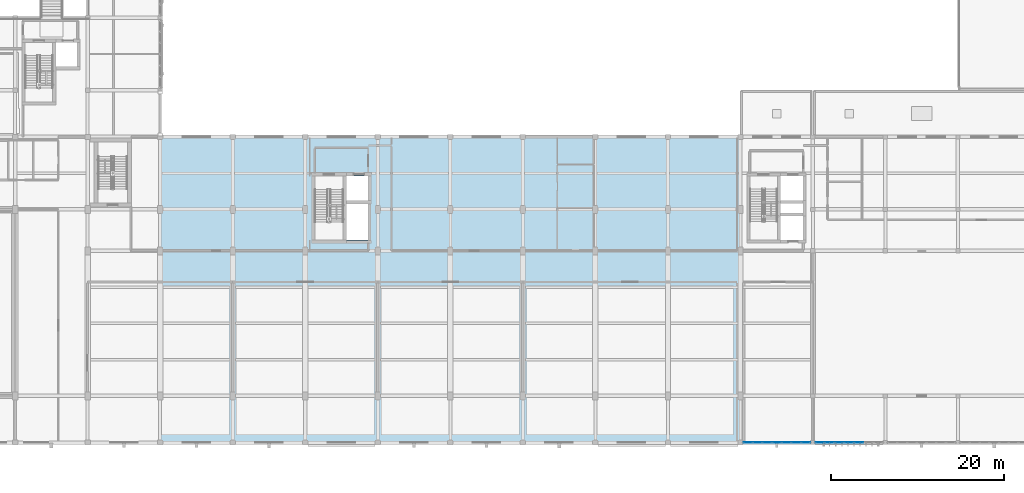
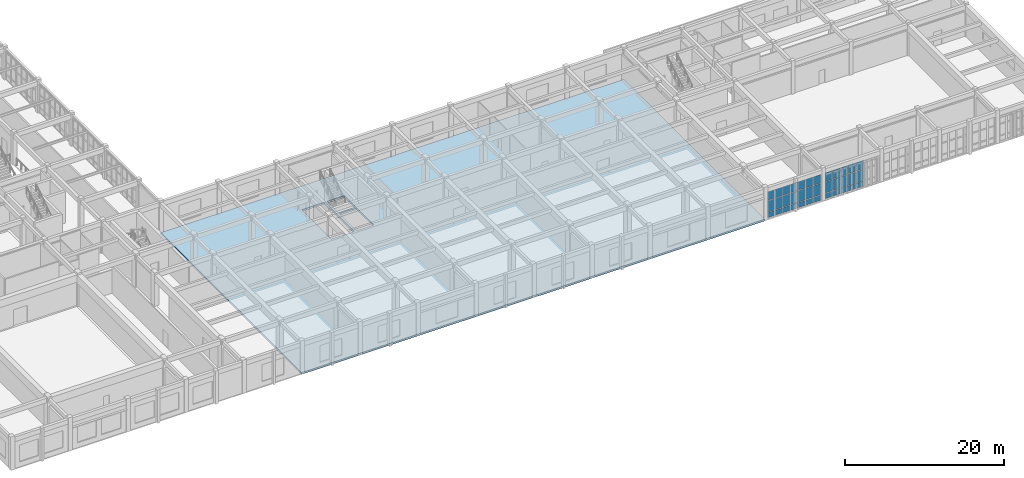
# One storey, part 57 of 93: 36 plates, 1 slab, 2 elements without a shape of their own.
"""IFC4 building model written with IfcOpenShell, lengths in metres."""

from ifc_helpers import new_model, si_unit, direction, frame, origin, origin_2d, place, context, subcontext, project, spatial, polyline, rectangle, outline, extrude, material, layer, layer_set, type_object, element, aggregate, save


model = new_model("IFC4")

# Units and contexts
model_context = context("Model", 3, precision=1e-05, world=origin(), true_north=direction((0.0, 1.0)))
body_context = subcontext(model_context, "Body", "Model", "MODEL_VIEW")
ifc_project = project(units=[si_unit("LENGTHUNIT", "METRE"), si_unit("AREAUNIT", "SQUARE_METRE"), si_unit("VOLUMEUNIT", "CUBIC_METRE"), si_unit("PLANEANGLEUNIT", "RADIAN"), si_unit("MASSUNIT", "GRAM", prefix="KILO")], contexts=[model_context])

# Site, building, storey
site_placement = place(None, origin())
site = spatial("IfcSite", under=ifc_project, at=site_placement, CompositionType="ELEMENT")
building_placement = place(site_placement, origin())
building = spatial("IfcBuilding", under=site, at=building_placement, Name="Krzemoval Escarpment Law Courts", CompositionType="ELEMENT")
storey_placement = place(building_placement, frame((0.0, 0.0, 10.199951171875)))
storey = spatial("IfcBuildingStorey", under=building, at=storey_placement, Name="L02", CompositionType="ELEMENT", Elevation=10.199951171875)

# Curtain wall, plates
ifc_material_1 = material(Name="Aluminium 6063-T6", Category="aluminium")
ifc_layer_1 = layer(ifc_material_1, 0.239990234375)
ifc_layer_set_1 = layer_set([ifc_layer_1], Name="Aluminium 6063-T6")
curtain_wall_type = type_object("IfcCurtainWallType", Name="CW-LIBR-4800", PredefinedType="USERDEFINED", material=ifc_layer_set_1)
curtain_wall_1_placement = place(storey_placement, origin())
curtain_wall_1 = element("IfcCurtainWall", 1, at=curtain_wall_1_placement, inside=storey, type_object=curtain_wall_type, Name="Unitised Curtain Wall FCW-L02-084", ObjectType="UNITISED_CURTAIN_WALL", PredefinedType="USERDEFINED")
ifc_material_2 = material(Name="Triple Glazing IGU", Category="glass")
ifc_layer_2 = layer(ifc_material_2, 0.048095703125)
ifc_layer_set_2 = layer_set([ifc_layer_2], Name="Triple Glazing IGU")
plate_type = type_object("IfcPlateType", Name="CWP-GLZ-48", PredefinedType="CURTAIN_PANEL", material=ifc_layer_set_2)
plate_1_placement = place(storey_placement, frame((122.928466796875, 0.0, 0.074951171875), z_axis=(0.0, 0.0, 1.0), x_axis=(-1.0, 0.0, 0.0)))
plate_1 = element("IfcPlate", 2, at=plate_1_placement, type_object=plate_type, Name="FCW-L02-084 panel 3.1", PredefinedType="CURTAIN_PANEL", context=body_context, shape_type="SweptSolid", body=[
    extrude(rectangle(XDim=1.053466796875, YDim=0.048095703125, at=origin_2d()), origin(), (0.0, 0.0, 1.0), 0.78759765625),
])
plate_2_placement = place(storey_placement, frame((122.928466796875, 0.0, 0.9375), z_axis=(0.0, 0.0, 1.0), x_axis=(-1.0, 0.0, 0.0)))
plate_2 = element("IfcPlate", 3, at=plate_2_placement, type_object=plate_type, Name="FCW-L02-084 panel 3.2", PredefinedType="CURTAIN_PANEL", context=body_context, shape_type="SweptSolid", body=[
    extrude(rectangle(XDim=1.053466796875, YDim=0.048095703125, at=origin_2d()), origin(), (0.0, 0.0, 1.0), 1.72509765625),
])
plate_3_placement = place(storey_placement, frame((122.928466796875, 0.0, 2.737548828125), z_axis=(0.0, 0.0, 1.0), x_axis=(-1.0, 0.0, 0.0)))
plate_3 = element("IfcPlate", 4, at=plate_3_placement, type_object=plate_type, Name="FCW-L02-084 panel 3.3", PredefinedType="CURTAIN_PANEL", context=body_context, shape_type="SweptSolid", body=[
    extrude(rectangle(XDim=1.053466796875, YDim=0.048095703125, at=origin_2d()), origin(), (0.0, 0.0, 1.0), 1.3076171875),
])
plate_4_placement = place(storey_placement, frame((121.800048828125, 0.0, 0.074951171875), z_axis=(0.0, 0.0, 1.0), x_axis=(-1.0, 0.0, 0.0)))
plate_4 = element("IfcPlate", 5, at=plate_4_placement, type_object=plate_type, Name="FCW-L02-084 panel 4.1", PredefinedType="CURTAIN_PANEL", context=body_context, shape_type="SweptSolid", body=[
    extrude(rectangle(XDim=1.053466796875, YDim=0.048095703125, at=origin_2d()), origin(), (0.0, 0.0, 1.0), 0.78759765625),
])
plate_5_placement = place(storey_placement, frame((121.800048828125, 0.0, 0.9375), z_axis=(0.0, 0.0, 1.0), x_axis=(-1.0, 0.0, 0.0)))
plate_5 = element("IfcPlate", 6, at=plate_5_placement, type_object=plate_type, Name="FCW-L02-084 panel 4.2", PredefinedType="CURTAIN_PANEL", context=body_context, shape_type="SweptSolid", body=[
    extrude(rectangle(XDim=1.053466796875, YDim=0.048095703125, at=origin_2d()), origin(), (0.0, 0.0, 1.0), 1.72509765625),
])
plate_6_placement = place(storey_placement, frame((121.800048828125, 0.0, 2.737548828125), z_axis=(0.0, 0.0, 1.0), x_axis=(-1.0, 0.0, 0.0)))
plate_6 = element("IfcPlate", 7, at=plate_6_placement, type_object=plate_type, Name="FCW-L02-084 panel 4.3", PredefinedType="CURTAIN_PANEL", context=body_context, shape_type="SweptSolid", body=[
    extrude(rectangle(XDim=1.053466796875, YDim=0.048095703125, at=origin_2d()), origin(), (0.0, 0.0, 1.0), 1.3076171875),
])
plate_7_placement = place(storey_placement, frame((120.67138671875, 0.0, 0.074951171875), z_axis=(0.0, 0.0, 1.0), x_axis=(-1.0, 0.0, 0.0)))
plate_7 = element("IfcPlate", 8, at=plate_7_placement, type_object=plate_type, Name="FCW-L02-084 panel 5.1", PredefinedType="CURTAIN_PANEL", context=body_context, shape_type="SweptSolid", body=[
    extrude(rectangle(XDim=1.053466796875, YDim=0.048095703125, at=origin_2d()), origin(), (0.0, 0.0, 1.0), 0.78759765625),
])
plate_8_placement = place(storey_placement, frame((120.67138671875, 0.0, 0.9375), z_axis=(0.0, 0.0, 1.0), x_axis=(-1.0, 0.0, 0.0)))
plate_8 = element("IfcPlate", 9, at=plate_8_placement, type_object=plate_type, Name="FCW-L02-084 panel 5.2", PredefinedType="CURTAIN_PANEL", context=body_context, shape_type="SweptSolid", body=[
    extrude(rectangle(XDim=1.053466796875, YDim=0.048095703125, at=origin_2d()), origin(), (0.0, 0.0, 1.0), 1.72509765625),
])
plate_9_placement = place(storey_placement, frame((120.67138671875, 0.0, 2.737548828125), z_axis=(0.0, 0.0, 1.0), x_axis=(-1.0, 0.0, 0.0)))
plate_9 = element("IfcPlate", 10, at=plate_9_placement, type_object=plate_type, Name="FCW-L02-084 panel 5.3", PredefinedType="CURTAIN_PANEL", context=body_context, shape_type="SweptSolid", body=[
    extrude(rectangle(XDim=1.053466796875, YDim=0.048095703125, at=origin_2d()), origin(), (0.0, 0.0, 1.0), 1.3076171875),
])
plate_10_placement = place(storey_placement, frame((119.54296875, 0.0, 0.074951171875), z_axis=(0.0, 0.0, 1.0), x_axis=(-1.0, 0.0, 0.0)))
plate_10 = element("IfcPlate", 11, at=plate_10_placement, type_object=plate_type, Name="FCW-L02-084 panel 6.1", PredefinedType="CURTAIN_PANEL", context=body_context, shape_type="SweptSolid", body=[
    extrude(rectangle(XDim=1.053466796875, YDim=0.048095703125, at=origin_2d()), origin(), (0.0, 0.0, 1.0), 0.78759765625),
])
plate_11_placement = place(storey_placement, frame((119.54296875, 0.0, 0.9375), z_axis=(0.0, 0.0, 1.0), x_axis=(-1.0, 0.0, 0.0)))
plate_11 = element("IfcPlate", 12, at=plate_11_placement, type_object=plate_type, Name="FCW-L02-084 panel 6.2", PredefinedType="CURTAIN_PANEL", context=body_context, shape_type="SweptSolid", body=[
    extrude(rectangle(XDim=1.053466796875, YDim=0.048095703125, at=origin_2d()), origin(), (0.0, 0.0, 1.0), 1.72509765625),
])
plate_12_placement = place(storey_placement, frame((119.54296875, 0.0, 2.737548828125), z_axis=(0.0, 0.0, 1.0), x_axis=(-1.0, 0.0, 0.0)))
plate_12 = element("IfcPlate", 13, at=plate_12_placement, type_object=plate_type, Name="FCW-L02-084 panel 6.3", PredefinedType="CURTAIN_PANEL", context=body_context, shape_type="SweptSolid", body=[
    extrude(rectangle(XDim=1.053466796875, YDim=0.048095703125, at=origin_2d()), origin(), (0.0, 0.0, 1.0), 1.3076171875),
])
plate_13_placement = place(storey_placement, frame((118.43310546875, 0.0, 0.074951171875), z_axis=(0.0, 0.0, 1.0), x_axis=(-1.0, 0.0, 0.0)))
plate_13 = element("IfcPlate", 14, at=plate_13_placement, type_object=plate_type, Name="FCW-L02-084 panel 7.1", PredefinedType="CURTAIN_PANEL", context=body_context, shape_type="SweptSolid", body=[
    extrude(rectangle(XDim=1.01611328125, YDim=0.048095703125, at=origin_2d()), origin(), (0.0, 0.0, 1.0), 0.78759765625),
])
plate_14_placement = place(storey_placement, frame((118.43310546875, 0.0, 0.9375), z_axis=(0.0, 0.0, 1.0), x_axis=(-1.0, 0.0, 0.0)))
plate_14 = element("IfcPlate", 15, at=plate_14_placement, type_object=plate_type, Name="FCW-L02-084 panel 7.2", PredefinedType="CURTAIN_PANEL", context=body_context, shape_type="SweptSolid", body=[
    extrude(rectangle(XDim=1.01611328125, YDim=0.048095703125, at=origin_2d()), origin(), (0.0, 0.0, 1.0), 1.72509765625),
])
plate_15_placement = place(storey_placement, frame((118.43310546875, 0.0, 2.737548828125), z_axis=(0.0, 0.0, 1.0), x_axis=(-1.0, 0.0, 0.0)))
plate_15 = element("IfcPlate", 16, at=plate_15_placement, type_object=plate_type, Name="FCW-L02-084 panel 7.3", PredefinedType="CURTAIN_PANEL", context=body_context, shape_type="SweptSolid", body=[
    extrude(rectangle(XDim=1.01611328125, YDim=0.048095703125, at=origin_2d()), origin(), (0.0, 0.0, 1.0), 1.3076171875),
])
aggregate(curtain_wall_1, [plate_1, plate_2, plate_3, plate_4, plate_5, plate_6, plate_7, plate_8, plate_9, plate_10, plate_11, plate_12, plate_13, plate_14, plate_15])

curtain_wall_2_placement = place(storey_placement, origin())
curtain_wall_2 = element("IfcCurtainWall", 17, at=curtain_wall_2_placement, inside=storey, type_object=curtain_wall_type, Name="Unitised Curtain Wall FCW-L02-085", ObjectType="UNITISED_CURTAIN_WALL", PredefinedType="USERDEFINED")
plate_16_placement = place(storey_placement, frame((116.7705078125, 0.0, 0.074951171875), z_axis=(0.0, 0.0, 1.0), x_axis=(-1.0, 0.0, 0.0)))
plate_16 = element("IfcPlate", 18, at=plate_16_placement, type_object=plate_type, Name="FCW-L02-085 panel 1.1", PredefinedType="CURTAIN_PANEL", context=body_context, shape_type="SweptSolid", body=[
    extrude(rectangle(XDim=1.009033203125, YDim=0.048095703125, at=origin_2d()), origin(), (0.0, 0.0, 1.0), 0.78759765625),
])
plate_17_placement = place(storey_placement, frame((116.7705078125, 0.0, 0.9375), z_axis=(0.0, 0.0, 1.0), x_axis=(-1.0, 0.0, 0.0)))
plate_17 = element("IfcPlate", 19, at=plate_17_placement, type_object=plate_type, Name="FCW-L02-085 panel 1.2", PredefinedType="CURTAIN_PANEL", context=body_context, shape_type="SweptSolid", body=[
    extrude(rectangle(XDim=1.009033203125, YDim=0.048095703125, at=origin_2d()), origin(), (0.0, 0.0, 1.0), 1.72509765625),
])
plate_18_placement = place(storey_placement, frame((116.7705078125, 0.0, 2.737548828125), z_axis=(0.0, 0.0, 1.0), x_axis=(-1.0, 0.0, 0.0)))
plate_18 = element("IfcPlate", 20, at=plate_18_placement, type_object=plate_type, Name="FCW-L02-085 panel 1.3", PredefinedType="CURTAIN_PANEL", context=body_context, shape_type="SweptSolid", body=[
    extrude(rectangle(XDim=1.009033203125, YDim=0.048095703125, at=origin_2d()), origin(), (0.0, 0.0, 1.0), 1.3076171875),
])
plate_19_placement = place(storey_placement, frame((115.66796875, 0.0, 0.074951171875), z_axis=(0.0, 0.0, 1.0), x_axis=(-1.0, 0.0, 0.0)))
plate_19 = element("IfcPlate", 21, at=plate_19_placement, type_object=plate_type, Name="FCW-L02-085 panel 2.1", PredefinedType="CURTAIN_PANEL", context=body_context, shape_type="SweptSolid", body=[
    extrude(rectangle(XDim=1.04638671875, YDim=0.048095703125, at=origin_2d()), origin(), (0.0, 0.0, 1.0), 0.78759765625),
])
plate_20_placement = place(storey_placement, frame((115.66796875, 0.0, 0.9375), z_axis=(0.0, 0.0, 1.0), x_axis=(-1.0, 0.0, 0.0)))
plate_20 = element("IfcPlate", 22, at=plate_20_placement, type_object=plate_type, Name="FCW-L02-085 panel 2.2", PredefinedType="CURTAIN_PANEL", context=body_context, shape_type="SweptSolid", body=[
    extrude(rectangle(XDim=1.04638671875, YDim=0.048095703125, at=origin_2d()), origin(), (0.0, 0.0, 1.0), 1.72509765625),
])
plate_21_placement = place(storey_placement, frame((115.66796875, 0.0, 2.737548828125), z_axis=(0.0, 0.0, 1.0), x_axis=(-1.0, 0.0, 0.0)))
plate_21 = element("IfcPlate", 23, at=plate_21_placement, type_object=plate_type, Name="FCW-L02-085 panel 2.3", PredefinedType="CURTAIN_PANEL", context=body_context, shape_type="SweptSolid", body=[
    extrude(rectangle(XDim=1.04638671875, YDim=0.048095703125, at=origin_2d()), origin(), (0.0, 0.0, 1.0), 1.3076171875),
])
plate_22_placement = place(storey_placement, frame((114.54638671875, 0.0, 0.074951171875), z_axis=(0.0, 0.0, 1.0), x_axis=(-1.0, 0.0, 0.0)))
plate_22 = element("IfcPlate", 24, at=plate_22_placement, type_object=plate_type, Name="FCW-L02-085 panel 3.1", PredefinedType="CURTAIN_PANEL", context=body_context, shape_type="SweptSolid", body=[
    extrude(rectangle(XDim=1.04638671875, YDim=0.048095703125, at=origin_2d()), origin(), (0.0, 0.0, 1.0), 0.78759765625),
])
plate_23_placement = place(storey_placement, frame((114.54638671875, 0.0, 0.9375), z_axis=(0.0, 0.0, 1.0), x_axis=(-1.0, 0.0, 0.0)))
plate_23 = element("IfcPlate", 25, at=plate_23_placement, type_object=plate_type, Name="FCW-L02-085 panel 3.2", PredefinedType="CURTAIN_PANEL", context=body_context, shape_type="SweptSolid", body=[
    extrude(rectangle(XDim=1.04638671875, YDim=0.048095703125, at=origin_2d()), origin(), (0.0, 0.0, 1.0), 1.72509765625),
])
plate_24_placement = place(storey_placement, frame((114.54638671875, 0.0, 2.737548828125), z_axis=(0.0, 0.0, 1.0), x_axis=(-1.0, 0.0, 0.0)))
plate_24 = element("IfcPlate", 26, at=plate_24_placement, type_object=plate_type, Name="FCW-L02-085 panel 3.3", PredefinedType="CURTAIN_PANEL", context=body_context, shape_type="SweptSolid", body=[
    extrude(rectangle(XDim=1.04638671875, YDim=0.048095703125, at=origin_2d()), origin(), (0.0, 0.0, 1.0), 1.3076171875),
])
plate_25_placement = place(storey_placement, frame((113.425048828125, 0.0, 0.074951171875), z_axis=(0.0, 0.0, 1.0), x_axis=(-1.0, 0.0, 0.0)))
plate_25 = element("IfcPlate", 27, at=plate_25_placement, type_object=plate_type, Name="FCW-L02-085 panel 4.1", PredefinedType="CURTAIN_PANEL", context=body_context, shape_type="SweptSolid", body=[
    extrude(rectangle(XDim=1.04638671875, YDim=0.048095703125, at=origin_2d()), origin(), (0.0, 0.0, 1.0), 0.78759765625),
])
plate_26_placement = place(storey_placement, frame((113.425048828125, 0.0, 0.9375), z_axis=(0.0, 0.0, 1.0), x_axis=(-1.0, 0.0, 0.0)))
plate_26 = element("IfcPlate", 28, at=plate_26_placement, type_object=plate_type, Name="FCW-L02-085 panel 4.2", PredefinedType="CURTAIN_PANEL", context=body_context, shape_type="SweptSolid", body=[
    extrude(rectangle(XDim=1.04638671875, YDim=0.048095703125, at=origin_2d()), origin(), (0.0, 0.0, 1.0), 1.72509765625),
])
plate_27_placement = place(storey_placement, frame((113.425048828125, 0.0, 2.737548828125), z_axis=(0.0, 0.0, 1.0), x_axis=(-1.0, 0.0, 0.0)))
plate_27 = element("IfcPlate", 29, at=plate_27_placement, type_object=plate_type, Name="FCW-L02-085 panel 4.3", PredefinedType="CURTAIN_PANEL", context=body_context, shape_type="SweptSolid", body=[
    extrude(rectangle(XDim=1.04638671875, YDim=0.048095703125, at=origin_2d()), origin(), (0.0, 0.0, 1.0), 1.3076171875),
])
plate_28_placement = place(storey_placement, frame((112.303466796875, 0.0, 0.074951171875), z_axis=(0.0, 0.0, 1.0), x_axis=(-1.0, 0.0, 0.0)))
plate_28 = element("IfcPlate", 30, at=plate_28_placement, type_object=plate_type, Name="FCW-L02-085 panel 5.1", PredefinedType="CURTAIN_PANEL", context=body_context, shape_type="SweptSolid", body=[
    extrude(rectangle(XDim=1.04638671875, YDim=0.048095703125, at=origin_2d()), origin(), (0.0, 0.0, 1.0), 0.78759765625),
])
plate_29_placement = place(storey_placement, frame((112.303466796875, 0.0, 0.9375), z_axis=(0.0, 0.0, 1.0), x_axis=(-1.0, 0.0, 0.0)))
plate_29 = element("IfcPlate", 31, at=plate_29_placement, type_object=plate_type, Name="FCW-L02-085 panel 5.2", PredefinedType="CURTAIN_PANEL", context=body_context, shape_type="SweptSolid", body=[
    extrude(rectangle(XDim=1.04638671875, YDim=0.048095703125, at=origin_2d()), origin(), (0.0, 0.0, 1.0), 1.72509765625),
])
plate_30_placement = place(storey_placement, frame((112.303466796875, 0.0, 2.737548828125), z_axis=(0.0, 0.0, 1.0), x_axis=(-1.0, 0.0, 0.0)))
plate_30 = element("IfcPlate", 32, at=plate_30_placement, type_object=plate_type, Name="FCW-L02-085 panel 5.3", PredefinedType="CURTAIN_PANEL", context=body_context, shape_type="SweptSolid", body=[
    extrude(rectangle(XDim=1.04638671875, YDim=0.048095703125, at=origin_2d()), origin(), (0.0, 0.0, 1.0), 1.3076171875),
])
plate_31_placement = place(storey_placement, frame((111.18212890625, 0.0, 0.074951171875), z_axis=(0.0, 0.0, 1.0), x_axis=(-1.0, 0.0, 0.0)))
plate_31 = element("IfcPlate", 33, at=plate_31_placement, type_object=plate_type, Name="FCW-L02-085 panel 6.1", PredefinedType="CURTAIN_PANEL", context=body_context, shape_type="SweptSolid", body=[
    extrude(rectangle(XDim=1.04638671875, YDim=0.048095703125, at=origin_2d()), origin(), (0.0, 0.0, 1.0), 0.78759765625),
])
plate_32_placement = place(storey_placement, frame((111.18212890625, 0.0, 0.9375), z_axis=(0.0, 0.0, 1.0), x_axis=(-1.0, 0.0, 0.0)))
plate_32 = element("IfcPlate", 34, at=plate_32_placement, type_object=plate_type, Name="FCW-L02-085 panel 6.2", PredefinedType="CURTAIN_PANEL", context=body_context, shape_type="SweptSolid", body=[
    extrude(rectangle(XDim=1.04638671875, YDim=0.048095703125, at=origin_2d()), origin(), (0.0, 0.0, 1.0), 1.72509765625),
])
plate_33_placement = place(storey_placement, frame((111.18212890625, 0.0, 2.737548828125), z_axis=(0.0, 0.0, 1.0), x_axis=(-1.0, 0.0, 0.0)))
plate_33 = element("IfcPlate", 35, at=plate_33_placement, type_object=plate_type, Name="FCW-L02-085 panel 6.3", PredefinedType="CURTAIN_PANEL", context=body_context, shape_type="SweptSolid", body=[
    extrude(rectangle(XDim=1.04638671875, YDim=0.048095703125, at=origin_2d()), origin(), (0.0, 0.0, 1.0), 1.3076171875),
])
plate_34_placement = place(storey_placement, frame((110.079345703125, 0.0, 0.074951171875), z_axis=(0.0, 0.0, 1.0), x_axis=(-1.0, 0.0, 0.0)))
plate_34 = element("IfcPlate", 36, at=plate_34_placement, type_object=plate_type, Name="FCW-L02-085 panel 7.1", PredefinedType="CURTAIN_PANEL", context=body_context, shape_type="SweptSolid", body=[
    extrude(rectangle(XDim=1.009033203125, YDim=0.048095703125, at=origin_2d()), origin(), (0.0, 0.0, 1.0), 0.78759765625),
])
plate_35_placement = place(storey_placement, frame((110.079345703125, 0.0, 0.9375), z_axis=(0.0, 0.0, 1.0), x_axis=(-1.0, 0.0, 0.0)))
plate_35 = element("IfcPlate", 37, at=plate_35_placement, type_object=plate_type, Name="FCW-L02-085 panel 7.2", PredefinedType="CURTAIN_PANEL", context=body_context, shape_type="SweptSolid", body=[
    extrude(rectangle(XDim=1.009033203125, YDim=0.048095703125, at=origin_2d()), origin(), (0.0, 0.0, 1.0), 1.72509765625),
])
plate_36_placement = place(storey_placement, frame((110.079345703125, 0.0, 2.737548828125), z_axis=(0.0, 0.0, 1.0), x_axis=(-1.0, 0.0, 0.0)))
plate_36 = element("IfcPlate", 38, at=plate_36_placement, type_object=plate_type, Name="FCW-L02-085 panel 7.3", PredefinedType="CURTAIN_PANEL", context=body_context, shape_type="SweptSolid", body=[
    extrude(rectangle(XDim=1.009033203125, YDim=0.048095703125, at=origin_2d()), origin(), (0.0, 0.0, 1.0), 1.3076171875),
])
aggregate(curtain_wall_2, [plate_16, plate_17, plate_18, plate_19, plate_20, plate_21, plate_22, plate_23, plate_24, plate_25, plate_26, plate_27, plate_28, plate_29, plate_30, plate_31, plate_32, plate_33, plate_34, plate_35, plate_36])

# Slab
ifc_material_3 = material(Name="Concrete C50/60", Category="concrete")
ifc_layer_3 = layer(ifc_material_3, 0.280029296875)
ifc_layer_set_3 = layer_set([ifc_layer_3], Name="Concrete C50/60")
slab_type = type_object("IfcSlabType", Name="SL-PT-280", PredefinedType="FLOOR", material=ifc_layer_set_3)
slab_placement = place(storey_placement, frame((0.0, 0.0, -0.280029296875)))
element("IfcSlab", 39, at=slab_placement, inside=storey, type_object=slab_type, Name="Floor Slab SL-L02-V2-030", PredefinedType="FLOOR", context=body_context, shape_type="SweptSolid", body=[
    extrude(outline(polyline([(109.199951171875, 35.39990234375), (109.199951171875, 0.0), (42.0400390625, 0.0), (42.0400390625, 35.39990234375), (109.199951171875, 35.39990234375)]), holes=[polyline([(66.050048828125, 28.050048828125), (66.050048828125, 30.85009765625), (63.550048828125, 30.85009765625), (63.550048828125, 28.050048828125), (66.050048828125, 28.050048828125)]), polyline([(63.550048828125, 23.449951171875), (66.050048828125, 23.449951171875), (66.050048828125, 27.75), (63.550048828125, 27.75), (63.550048828125, 23.449951171875)]), polyline([(59.89990234375, 30.85009765625), (59.89990234375, 23.449951171875), (63.199951171875, 23.449951171875), (63.199951171875, 30.85009765625), (59.89990234375, 30.85009765625)])]), origin(), (0.0, 0.0, 1.0), 0.280029296875),
])

save(model, "model.ifc")
